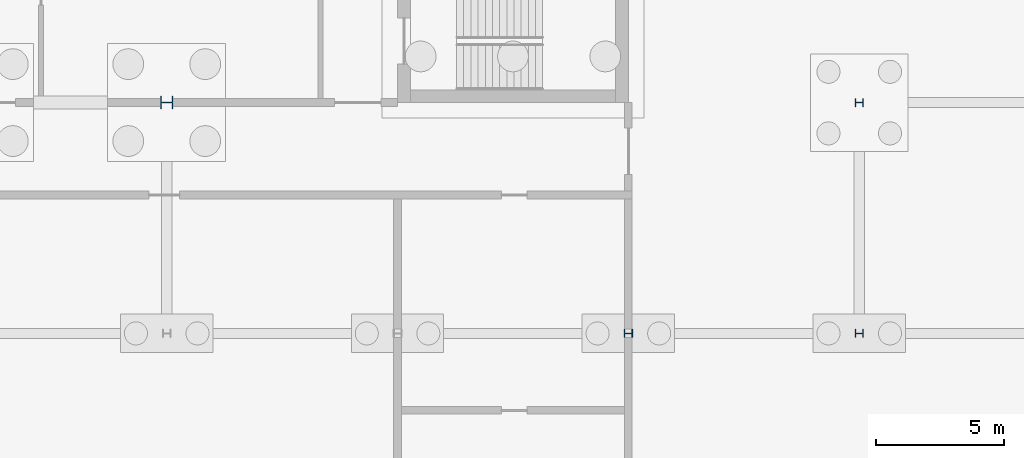
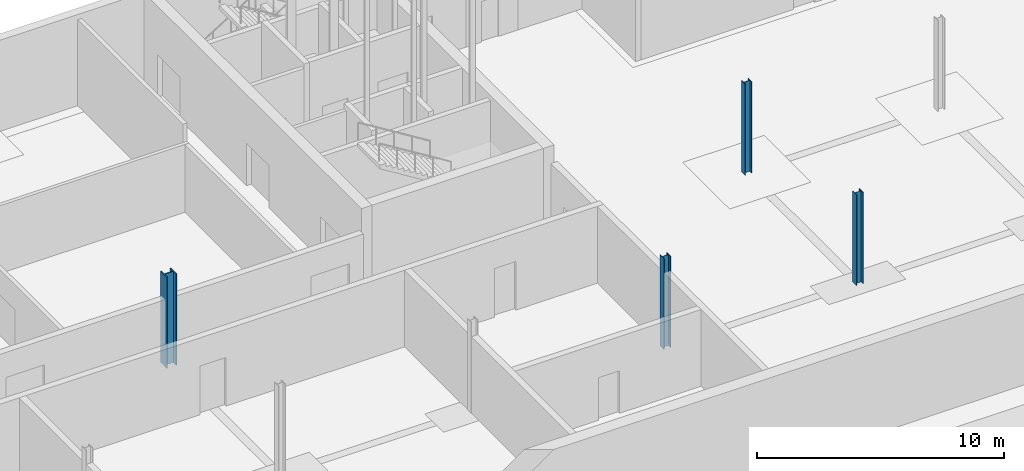
# One storey, part 5 of 41: 4 columns.
"""IFC4 building model written with IfcOpenShell, lengths in metres."""

from ifc_helpers import new_model, si_unit, direction, frame, origin, origin_2d, place, context, subcontext, project, spatial, i_section, extrude, material, material_profile, profile_set, type_object, element, save


model = new_model("IFC4")

# Units and contexts
model_context = context("Model", 3, precision=1e-05, world=origin(), true_north=direction((0.0, 1.0)))
body_context = subcontext(model_context, "Body", "Model", "MODEL_VIEW")
ifc_project = project(units=[si_unit("LENGTHUNIT", "METRE"), si_unit("AREAUNIT", "SQUARE_METRE"), si_unit("VOLUMEUNIT", "CUBIC_METRE"), si_unit("PLANEANGLEUNIT", "RADIAN"), si_unit("MASSUNIT", "GRAM", prefix="KILO")], contexts=[model_context])

# Site, building, storey
site_placement = place(None, origin())
site = spatial("IfcSite", under=ifc_project, at=site_placement, CompositionType="ELEMENT")
building_placement = place(site_placement, origin())
building = spatial("IfcBuilding", under=site, at=building_placement, Name="Corbel Yard City Hall", CompositionType="ELEMENT")
storey_placement = place(building_placement, frame((0.0, 0.0, -4.5)))
storey = spatial("IfcBuildingStorey", under=building, at=storey_placement, Name="B1", CompositionType="ELEMENT", Elevation=-4.5)

# Columns
ifc_material_1 = material(Name="Steel Grade 300 (300 MPa yield)", Category="steel")
ifc_material_profile_1 = material_profile(ifc_material_1, i_section(OverallWidth=0.31103515625, OverallDepth=0.326904296875, WebThickness=0.015625, FlangeThickness=0.02490234375, at=origin_2d()), Name="310UC158")
ifc_profile_set_1 = profile_set([ifc_material_profile_1], Name="Steel Grade 300 (300 MPa yield)")
column_type_1 = type_object("IfcColumnType", Name="Column 310UC158", PredefinedType="COLUMN", material=ifc_profile_set_1)
for number, where, z_axis, x_axis, name in (
    (1, (54.0, 90.0, 0.0), (0.0, 0.0, 1.0), (0.0, 1.0, 0.0), "Column 310UC158 K/7 B1"),
    (2, (63.0, 90.0, 0.0), (0.0, 0.0, 1.0), (0.0, 1.0, 0.0), "Column 310UC158 K/8 B1"),
    (3, (63.0, 99.0, 0.0), (0.0, 0.0, 1.0), (0.0, 1.0, 0.0), "Column 310UC158 L/8 B1"),
):
    element("IfcColumn", number, at=place(storey_placement, frame(where, z_axis=z_axis, x_axis=x_axis)), inside=storey, type_object=column_type_1, Name=name, PredefinedType="COLUMN", context=body_context, shape_type="SweptSolid", body=[
        extrude(i_section(OverallWidth=0.31103515625, OverallDepth=0.326904296875, WebThickness=0.015625, FlangeThickness=0.02490234375, at=origin_2d()), origin(), (0.0, 0.0, 1.0), 4.5),
    ])
ifc_material_2 = material(Name="Steel Grade 350", Category="steel")
ifc_material_profile_2 = material_profile(ifc_material_2, i_section(OverallWidth=0.5, OverallDepth=0.47998046875, WebThickness=0.0400390625, FlangeThickness=0.0400390625, at=origin_2d()), Name="500WC440")
ifc_profile_set_2 = profile_set([ifc_material_profile_2], Name="Steel Grade 350")
column_type_2 = type_object("IfcColumnType", Name="Column 500WC440", PredefinedType="COLUMN", material=ifc_profile_set_2)
column_placement = place(storey_placement, frame((36.0, 99.0, 0.0), z_axis=(0.0, 0.0, 1.0), x_axis=(0.0, 1.0, 0.0)))
element("IfcColumn", 4, at=column_placement, inside=storey, type_object=column_type_2, Name="Column 500WC440 L/5 B1", PredefinedType="COLUMN", context=body_context, shape_type="SweptSolid", body=[
    extrude(i_section(OverallWidth=0.5, OverallDepth=0.47998046875, WebThickness=0.0400390625, FlangeThickness=0.0400390625, at=origin_2d()), origin(), (0.0, 0.0, 1.0), 4.5),
])

save(model, "model.ifc")
